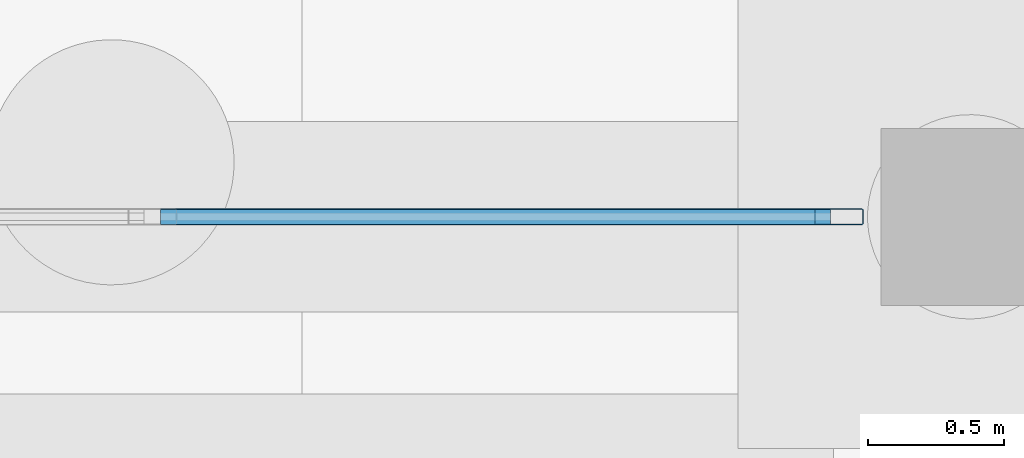
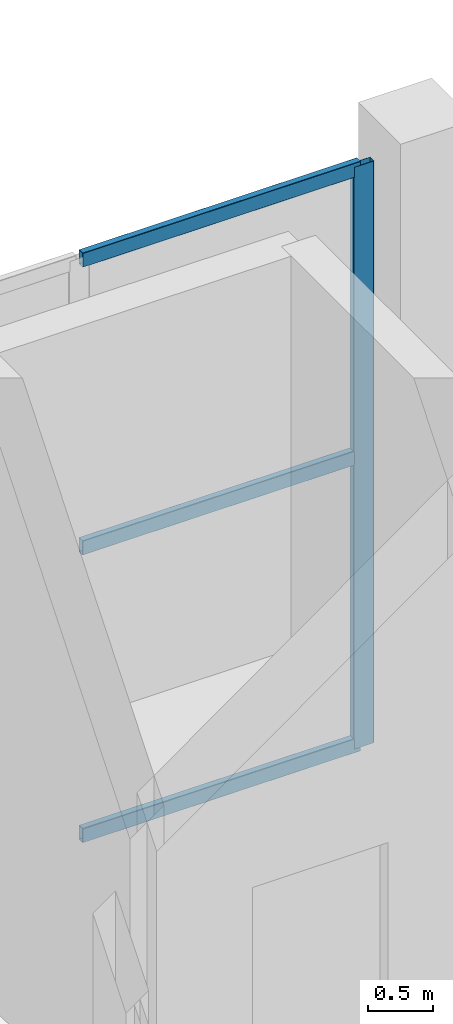
# One storey, part 69 of 103: 4 members, 1 element without a shape of its own.
"""IFC4 building model written with IfcOpenShell, lengths in metres."""

from ifc_helpers import new_model, si_unit, direction, frame, origin, origin_2d, place, context, subcontext, project, spatial, hollow_rectangle, extrude, material, layer, layer_set, material_profile, profile_set, type_object, element, aggregate, save


model = new_model("IFC4")

# Units and contexts
model_context = context("Model", 3, precision=1e-05, world=origin(), true_north=direction((0.0, 1.0)))
body_context = subcontext(model_context, "Body", "Model", "MODEL_VIEW")
ifc_project = project(units=[si_unit("LENGTHUNIT", "METRE"), si_unit("AREAUNIT", "SQUARE_METRE"), si_unit("VOLUMEUNIT", "CUBIC_METRE"), si_unit("PLANEANGLEUNIT", "RADIAN"), si_unit("MASSUNIT", "GRAM", prefix="KILO")], contexts=[model_context])

# Site, building, storey
site_placement = place(None, origin())
site = spatial("IfcSite", under=ifc_project, at=site_placement, CompositionType="ELEMENT")
building_placement = place(site_placement, origin())
building = spatial("IfcBuilding", under=site, at=building_placement, Name="Dunvalen Ferry Terminal", CompositionType="ELEMENT")
storey_placement = place(building_placement, origin())
storey = spatial("IfcBuildingStorey", under=building, at=storey_placement, Name="L00", CompositionType="ELEMENT", Elevation=0.0)

# Curtain wall, members
ifc_material_1 = material(Name="Anodised marine aluminium and solar-control glazing", Category="aluminium")
ifc_layer = layer(ifc_material_1, 0.159912109375, Name="Anodised marine aluminium and solar-control glazing")
ifc_layer_set = layer_set([ifc_layer], Name="Anodised marine aluminium and solar-control glazing")
curtain_wall_type = type_object("IfcCurtainWallType", Name="ENV-CW-SYS-09", PredefinedType="NOTDEFINED", material=ifc_layer_set)
curtain_wall_placement = place(storey_placement, origin())
curtain_wall = element("IfcCurtainWall", 1, at=curtain_wall_placement, inside=storey, type_object=curtain_wall_type, Name="L00 Curtain Wall CW-BRT2-N-L00-4", PredefinedType="NOTDEFINED")
ifc_material_2 = material(Name="Anodised marine aluminium EN AW-6063 T6", Category="aluminium")
ifc_material_profile_1 = material_profile(ifc_material_2, hollow_rectangle(XDim=0.06005859375, YDim=0.179931640625, WallThickness=0.00341796875, InnerFilletRadius=0.00341796875, OuterFilletRadius=0.007080078125, at=origin_2d()), Name="Anodised marine aluminium EN AW-6063 T6")
ifc_profile_set_1 = profile_set([ifc_material_profile_1], Name="Anodised marine aluminium EN AW-6063 T6")
member_type_1 = type_object("IfcMemberType", Name="ENV-CW-MUL-2", PredefinedType="MULLION", material=ifc_profile_set_1)
member_1_placement = place(storey_placement, frame((143.52001953125, 115.199951171875, 0.0), z_axis=(0.0, 0.0, 1.0), x_axis=(0.0, 1.0, 0.0)))
member_1 = element("IfcMember", 2, at=member_1_placement, type_object=member_type_1, Name="CW-09 mullion 3", PredefinedType="MULLION", context=body_context, shape_type="SweptSolid", body=[
    extrude(hollow_rectangle(XDim=0.06005859375, YDim=0.179931640625, WallThickness=0.00341796875, InnerFilletRadius=0.00341796875, OuterFilletRadius=0.007080078125, at=origin_2d()), origin(), (0.0, 0.0, 1.0), 5.449951171875),
])
ifc_material_profile_2 = material_profile(ifc_material_2, hollow_rectangle(XDim=0.06005859375, YDim=0.135009765625, WallThickness=0.003173828125, InnerFilletRadius=0.003173828125, OuterFilletRadius=0.00634765625, at=origin_2d()), Name="Anodised marine aluminium EN AW-6063 T6")
ifc_profile_set_2 = profile_set([ifc_material_profile_2], Name="Anodised marine aluminium EN AW-6063 T6")
member_type_2 = type_object("IfcMemberType", Name="ENV-CW-TRN-2", PredefinedType="USERDEFINED", material=ifc_profile_set_2)
member_2_placement = place(storey_placement, frame((141.030029296875, 115.199951171875, 0.030029296875), z_axis=(1.0, 0.0, 0.0), x_axis=(0.0, 1.0, 0.0)))
member_2 = element("IfcMember", 3, at=member_2_placement, type_object=member_type_2, Name="CW-09 transom 2.1", ObjectType="TRANSOM", PredefinedType="USERDEFINED", context=body_context, shape_type="SweptSolid", body=[
    extrude(hollow_rectangle(XDim=0.06005859375, YDim=0.135009765625, WallThickness=0.003173828125, InnerFilletRadius=0.003173828125, OuterFilletRadius=0.00634765625, at=origin_2d()), origin(), (0.0, 0.0, 1.0), 2.4599609375),
])
member_3_placement = place(storey_placement, frame((141.030029296875, 115.199951171875, 2.72509765625), z_axis=(1.0, 0.0, 0.0), x_axis=(0.0, 1.0, 0.0)))
member_3 = element("IfcMember", 4, at=member_3_placement, type_object=member_type_2, Name="CW-09 transom 2.2", ObjectType="TRANSOM", PredefinedType="USERDEFINED", context=body_context, shape_type="SweptSolid", body=[
    extrude(hollow_rectangle(XDim=0.06005859375, YDim=0.135009765625, WallThickness=0.003173828125, InnerFilletRadius=0.003173828125, OuterFilletRadius=0.00634765625, at=origin_2d()), origin(), (0.0, 0.0, 1.0), 2.4599609375),
])
member_4_placement = place(storey_placement, frame((141.030029296875, 115.199951171875, 5.419921875), z_axis=(1.0, 0.0, 0.0), x_axis=(0.0, 1.0, 0.0)))
member_4 = element("IfcMember", 5, at=member_4_placement, type_object=member_type_2, Name="CW-09 transom 2.3", ObjectType="TRANSOM", PredefinedType="USERDEFINED", context=body_context, shape_type="SweptSolid", body=[
    extrude(hollow_rectangle(XDim=0.06005859375, YDim=0.135009765625, WallThickness=0.003173828125, InnerFilletRadius=0.003173828125, OuterFilletRadius=0.00634765625, at=origin_2d()), origin(), (0.0, 0.0, 1.0), 2.4599609375),
])
aggregate(curtain_wall, [member_1, member_2, member_3, member_4])

save(model, "model.ifc")
